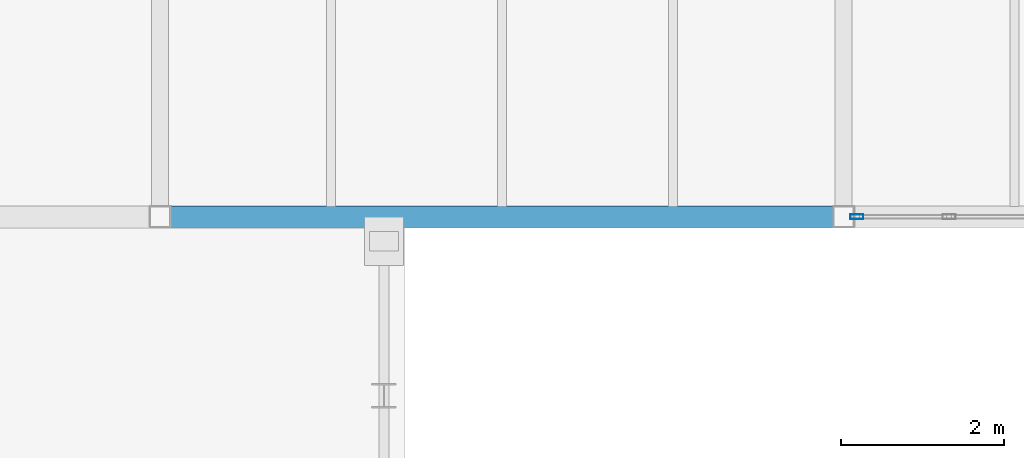
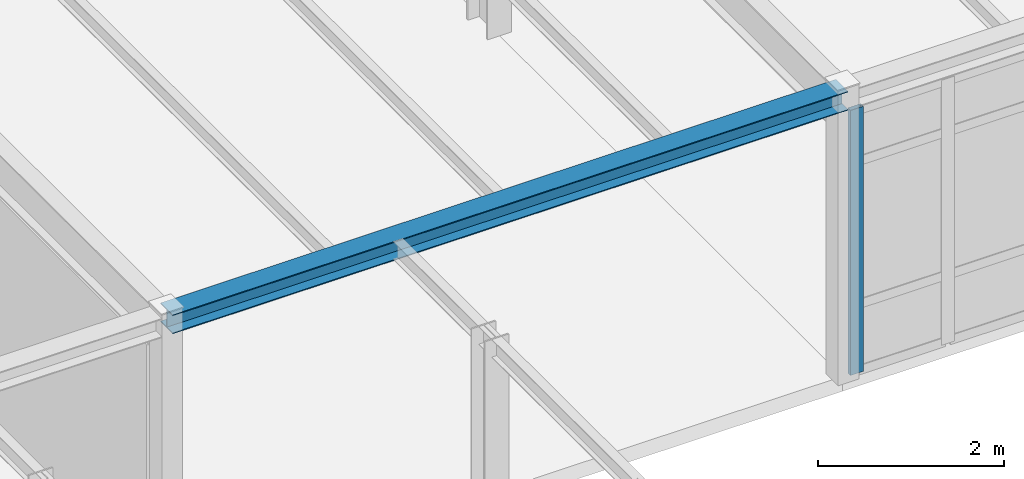
# One storey, part 92 of 189: 1 beam, 1 member, 1 element without a shape of its own.
"""IFC4 building model written with IfcOpenShell, lengths in metres."""

from ifc_helpers import new_model, si_unit, direction, frame, origin, origin_2d, place, context, subcontext, project, spatial, hollow_rectangle, i_section, extrude, material, layer, layer_set, material_profile, profile_set, type_object, element, aggregate, save


model = new_model("IFC4")

# Units and contexts
model_context = context("Model", 3, precision=1e-05, world=origin(), true_north=direction((0.0, 1.0)))
body_context = subcontext(model_context, "Body", "Model", "MODEL_VIEW")
ifc_project = project(units=[si_unit("LENGTHUNIT", "METRE"), si_unit("AREAUNIT", "SQUARE_METRE"), si_unit("VOLUMEUNIT", "CUBIC_METRE"), si_unit("PLANEANGLEUNIT", "RADIAN"), si_unit("MASSUNIT", "GRAM", prefix="KILO")], contexts=[model_context])

# Site, building, storey
site_placement = place(None, origin())
site = spatial("IfcSite", under=ifc_project, at=site_placement, CompositionType="ELEMENT")
building_placement = place(site_placement, origin())
building = spatial("IfcBuilding", under=site, at=building_placement, Name="Montecoro Central Library", CompositionType="ELEMENT")
storey_placement = place(building_placement, frame((0.0, 0.0, 9.179931640625)))
storey = spatial("IfcBuildingStorey", under=building, at=storey_placement, Name="L02", CompositionType="ELEMENT", Elevation=9.179931640625)

# Beam
ifc_material_1 = material(Name="Steel S355", Category="steel")
ifc_material_profile_1 = material_profile(ifc_material_1, i_section(OverallWidth=0.260009765625, OverallDepth=0.25, WebThickness=0.007568359375, FlangeThickness=0.012451171875, at=origin_2d()), Name="HEA 260")
ifc_profile_set_1 = profile_set([ifc_material_profile_1], Name="Steel S355")
beam_type = type_object("IfcBeamType", Name="BM-SP-HEA260", PredefinedType="SPANDREL", material=ifc_profile_set_1)
beam_placement = place(storey_placement, frame((91.60498046875, 81.0, 3.699951171875), z_axis=(1.0, 0.0, 0.0), x_axis=(0.0, 1.0, 0.0)))
element("IfcBeam", 1, at=beam_placement, inside=storey, type_object=beam_type, Name="V2-L02-BX-1213-L", PredefinedType="SPANDREL", context=body_context, shape_type="SweptSolid", body=[
    extrude(i_section(OverallWidth=0.260009765625, OverallDepth=0.25, WebThickness=0.007568359375, FlangeThickness=0.012451171875, at=origin_2d()), origin(), (0.0, 0.0, 1.0), 8.39013671875),
])

# Curtain wall, member
ifc_material_2 = material(Name="Bronze-anodised aluminium and low-E glazing", Category="aluminium")
ifc_layer = layer(ifc_material_2, 0.159912109375)
ifc_layer_set = layer_set([ifc_layer], Name="Bronze-anodised aluminium and low-E glazing")
curtain_wall_type = type_object("IfcCurtainWallType", Name="CWT-014", PredefinedType="NOTDEFINED", material=ifc_layer_set)
curtain_wall_placement = place(storey_placement, origin())
curtain_wall = element("IfcCurtainWall", 2, at=curtain_wall_placement, inside=storey, type_object=curtain_wall_type, Name="V2-L02-CW-S4", PredefinedType="NOTDEFINED")
ifc_material_3 = material(Name="Bronze-anodised aluminium", Category="aluminium")
ifc_material_profile_2 = material_profile(ifc_material_3, hollow_rectangle(XDim=0.06005859375, YDim=0.159912109375, WallThickness=0.00390625, at=origin_2d()), Name="CWM 160x60x4.0")
ifc_profile_set_2 = profile_set([ifc_material_profile_2], Name="Bronze-anodised aluminium")
member_type = type_object("IfcMemberType", Name="CWM-BRZ-60", PredefinedType="MULLION", material=ifc_profile_set_2)
member_placement = place(storey_placement, frame((100.1630859375, 81.0, 0.0), z_axis=(0.0, 0.0, 1.0), x_axis=(0.0, 1.0, 0.0)))
member = element("IfcMember", 3, at=member_placement, type_object=member_type, Name="CW-014 mullion 1", PredefinedType="MULLION", context=body_context, shape_type="SweptSolid", body=[
    extrude(hollow_rectangle(XDim=0.06005859375, YDim=0.159912109375, WallThickness=0.00390625, at=origin_2d()), origin(), (0.0, 0.0, 1.0), 3.47998046875),
])
aggregate(curtain_wall, [member])

save(model, "model.ifc")
